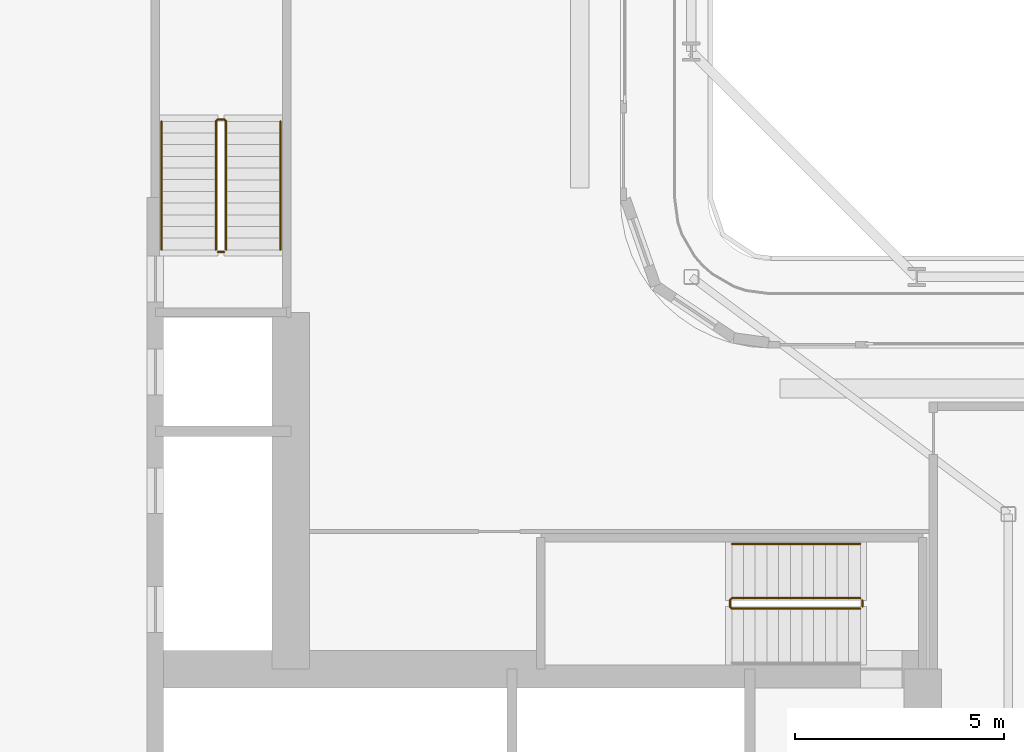
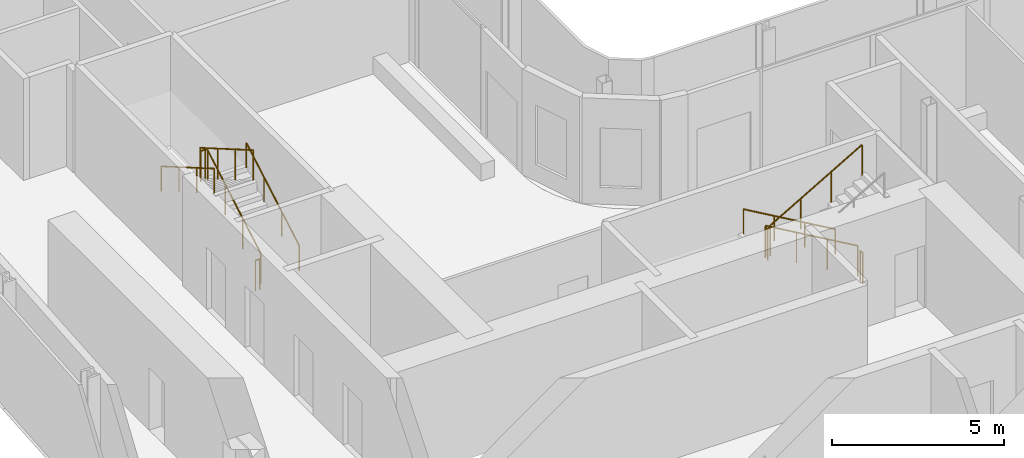
# One storey, part 23 of 28: 7 railings.
"""IFC4 building model written with IfcOpenShell, lengths in metres."""

from ifc_helpers import new_model, si_unit, direction, frame, origin, origin_2d, place, context, subcontext, project, spatial, circle, extrude, material, type_object, element, save


model = new_model("IFC4")

# Units and contexts
model_context = context("Model", 3, precision=1e-05, world=origin(), true_north=direction((0.0, 1.0)))
body_context = subcontext(model_context, "Body", "Model", "MODEL_VIEW")
ifc_project = project(units=[si_unit("LENGTHUNIT", "METRE"), si_unit("AREAUNIT", "SQUARE_METRE"), si_unit("VOLUMEUNIT", "CUBIC_METRE"), si_unit("PLANEANGLEUNIT", "RADIAN"), si_unit("MASSUNIT", "GRAM", prefix="KILO")], contexts=[model_context])

# Site, building, storey
site_placement = place(None, origin())
site = spatial("IfcSite", under=ifc_project, at=site_placement, CompositionType="ELEMENT")
building_placement = place(site_placement, origin())
building = spatial("IfcBuilding", under=site, at=building_placement, Name="Kheshtan School and Residences Tower", CompositionType="ELEMENT")
storey_placement = place(building_placement, frame((0.0, 0.0, 137.0)))
storey = spatial("IfcBuildingStorey", under=building, at=storey_placement, Name="L32", CompositionType="ELEMENT", Elevation=137.0)

# Railings
ifc_material_1 = material(Name="Stainless steel balustrade", Category="steel")
railing_type_1 = type_object("IfcRailingType", Name="Stair guard 1100", PredefinedType="GUARDRAIL", material=ifc_material_1)
railing_1_placement = place(storey_placement, frame((51.64990234375, 37.89990234375, 0.16259765625)))
element("IfcRailing", 1, at=railing_1_placement, inside=storey, type_object=railing_type_1, Name="L32 ST1 stair guard 1", PredefinedType="GUARDRAIL", context=body_context, shape_type="SweptSolid", body=[
    extrude(circle(Radius=0.02392578125, at=origin_2d()), frame((0.0, 0.0, 1.076171875), z_axis=(-0.864903211148, 0.0, 0.501938676878), x_axis=(0.0, -1.0, 0.0)), (0.0, 0.0, 1.0), 3.560791015625),
    extrude(circle(Radius=0.02392578125, at=origin_2d()), frame((-3.079833984375, 0.0, 2.86328125), z_axis=(-0.708833529934, -0.705375805398, 0.0), x_axis=(0.705375805398, -0.708833529934, 0.0)), (0.0, 0.0, 1.0), 0.070556640625),
    extrude(circle(Radius=0.02392578125, at=origin_2d()), frame((-3.1298828125, -0.0498046875, 2.86328125), z_axis=(0.0, -1.0, 0.0), x_axis=(1.0, 0.0, 0.0)), (0.0, 0.0, 1.0), 0.150146484375),
    extrude(circle(Radius=0.02392578125, at=origin_2d()), frame((-3.1298828125, -0.199951171875, 2.86328125), z_axis=(0.282227285176, -0.282227285176, 0.916894497205), x_axis=(0.707106781187, 0.707106781187, 0.0)), (0.0, 0.0, 1.0), 0.17724609375),
    extrude(circle(Radius=0.02392578125, at=origin_2d()), frame((-3.079833984375, -0.25, 3.02587890625), z_axis=(0.864903211148, 0.0, 0.501938676878), x_axis=(0.0, 1.0, 0.0)), (0.0, 0.0, 1.0), 3.560791015625),
    extrude(circle(Radius=0.02099609375, at=origin_2d()), origin(), (0.0, 0.0, 1.0), 1.052001953125),
    extrude(circle(Radius=0.02099609375, at=origin_2d()), frame((-1.026611328125, 0.0, 0.595703125)), (0.0, 0.0, 1.0), 1.052001953125),
    extrude(circle(Radius=0.02099609375, at=origin_2d()), frame((-2.05322265625, 0.0, 1.191650390625)), (0.0, 0.0, 1.0), 1.052001953125),
    extrude(circle(Radius=0.02099609375, at=origin_2d()), frame((-3.079833984375, 0.0, 1.787353515625)), (0.0, 0.0, 1.0), 1.052001953125),
    extrude(circle(Radius=0.02099609375, at=origin_2d()), frame((-3.1298828125, -0.0498046875, 1.787353515625)), (0.0, 0.0, 1.0), 1.052001953125),
    extrude(circle(Radius=0.02099609375, at=origin_2d()), frame((-3.1298828125, -0.199951171875, 1.787353515625)), (0.0, 0.0, 1.0), 1.052001953125),
    extrude(circle(Radius=0.02099609375, at=origin_2d()), frame((-3.079833984375, -0.25, 1.949951171875)), (0.0, 0.0, 1.0), 1.052001953125),
    extrude(circle(Radius=0.02099609375, at=origin_2d()), frame((-2.05322265625, -0.25, 2.545654296875)), (0.0, 0.0, 1.0), 1.052001953125),
    extrude(circle(Radius=0.02099609375, at=origin_2d()), frame((-1.026611328125, -0.25, 3.1416015625)), (0.0, 0.0, 1.0), 1.052001953125),
    extrude(circle(Radius=0.02099609375, at=origin_2d()), frame((0.0, -0.25, 3.7373046875)), (0.0, 0.0, 1.0), 1.052001953125),
])
railing_2_placement = place(storey_placement, frame((51.699951171875, 37.85009765625, 0.0)))
element("IfcRailing", 2, at=railing_2_placement, inside=storey, type_object=railing_type_1, Name="L32 ST1 stair guard 2", PredefinedType="GUARDRAIL", context=body_context, shape_type="SweptSolid", body=[
    extrude(circle(Radius=0.02392578125, at=origin_2d()), frame((0.0, 0.0, 1.076171875), z_axis=(0.0, -1.0, 0.0), x_axis=(1.0, 0.0, 0.0)), (0.0, 0.0, 1.0), 0.150146484375),
    extrude(circle(Radius=0.02099609375, at=origin_2d()), origin(), (0.0, 0.0, 1.0), 1.052001953125),
    extrude(circle(Radius=0.02099609375, at=origin_2d()), frame((0.0, -0.150146484375, 0.0)), (0.0, 0.0, 1.0), 1.052001953125),
])
railing_3_placement = place(storey_placement, frame((36.449951171875, 46.25, 0.16259765625)))
element("IfcRailing", 3, at=railing_3_placement, inside=storey, type_object=railing_type_1, Name="L32 ST2 stair guard 1", PredefinedType="GUARDRAIL", context=body_context, shape_type="SweptSolid", body=[
    extrude(circle(Radius=0.02392578125, at=origin_2d()), frame((0.0, 0.0, 1.076171875), z_axis=(0.0, 0.864920483161, 0.501908913857), x_axis=(-1.0, 0.0, 0.0)), (0.0, 0.0, 1.0), 3.56103515625),
    extrude(circle(Radius=0.02392578125, at=origin_2d()), frame((0.0, 3.080078125, 2.86328125), z_axis=(-0.708833529934, 0.705375805398, 0.0), x_axis=(-0.705375805398, -0.708833529934, 0.0)), (0.0, 0.0, 1.0), 0.070556640625),
    extrude(circle(Radius=0.02392578125, at=origin_2d()), frame((-0.050048828125, 3.1298828125, 2.86328125), z_axis=(-1.0, 0.0, 0.0), x_axis=(0.0, -1.0, 0.0)), (0.0, 0.0, 1.0), 0.14990234375),
    extrude(circle(Radius=0.02392578125, at=origin_2d()), frame((-0.199951171875, 3.1298828125, 2.86328125), z_axis=(-0.282336740067, -0.280959487676, 0.917250092119), x_axis=(0.705375805398, -0.708833529934, 0.0)), (0.0, 0.0, 1.0), 0.17724609375),
    extrude(circle(Radius=0.02392578125, at=origin_2d()), frame((-0.25, 3.080078125, 3.02587890625), z_axis=(0.0, -0.864920483161, 0.501908913857), x_axis=(1.0, 0.0, 0.0)), (0.0, 0.0, 1.0), 3.56103515625),
    extrude(circle(Radius=0.02099609375, at=origin_2d()), origin(), (0.0, 0.0, 1.0), 1.052001953125),
    extrude(circle(Radius=0.02099609375, at=origin_2d()), frame((0.0, 1.026611328125, 0.595703125)), (0.0, 0.0, 1.0), 1.052001953125),
    extrude(circle(Radius=0.02099609375, at=origin_2d()), frame((0.0, 2.053466796875, 1.191650390625)), (0.0, 0.0, 1.0), 1.052001953125),
    extrude(circle(Radius=0.02099609375, at=origin_2d()), frame((0.0, 3.080078125, 1.787353515625)), (0.0, 0.0, 1.0), 1.052001953125),
    extrude(circle(Radius=0.02099609375, at=origin_2d()), frame((-0.050048828125, 3.1298828125, 1.787353515625)), (0.0, 0.0, 1.0), 1.052001953125),
    extrude(circle(Radius=0.02099609375, at=origin_2d()), frame((-0.199951171875, 3.1298828125, 1.787353515625)), (0.0, 0.0, 1.0), 1.052001953125),
    extrude(circle(Radius=0.02099609375, at=origin_2d()), frame((-0.25, 3.080078125, 1.949951171875)), (0.0, 0.0, 1.0), 1.052001953125),
    extrude(circle(Radius=0.02099609375, at=origin_2d()), frame((-0.25, 2.053466796875, 2.545654296875)), (0.0, 0.0, 1.0), 1.052001953125),
    extrude(circle(Radius=0.02099609375, at=origin_2d()), frame((-0.25, 1.026611328125, 3.1416015625)), (0.0, 0.0, 1.0), 1.052001953125),
    extrude(circle(Radius=0.02099609375, at=origin_2d()), frame((-0.25, 0.0, 3.7373046875)), (0.0, 0.0, 1.0), 1.052001953125),
])
railing_4_placement = place(storey_placement, frame((36.39990234375, 46.199951171875, 0.0)))
element("IfcRailing", 4, at=railing_4_placement, inside=storey, type_object=railing_type_1, Name="L32 ST2 stair guard 2", PredefinedType="GUARDRAIL", context=body_context, shape_type="SweptSolid", body=[
    extrude(circle(Radius=0.02392578125, at=origin_2d()), frame((0.0, 0.0, 1.076171875), z_axis=(-1.0, 0.0, 0.0), x_axis=(0.0, -1.0, 0.0)), (0.0, 0.0, 1.0), 0.14990234375),
    extrude(circle(Radius=0.02099609375, at=origin_2d()), origin(), (0.0, 0.0, 1.0), 1.052001953125),
    extrude(circle(Radius=0.02099609375, at=origin_2d()), frame((-0.14990234375, 0.0, 0.0)), (0.0, 0.0, 1.0), 1.052001953125),
])
ifc_material_2 = material(Name="Stainless steel handrail", Category="steel")
railing_type_2 = type_object("IfcRailingType", Name="Stair handrail 900", PredefinedType="HANDRAIL", material=ifc_material_2)
railing_5_placement = place(storey_placement, frame((51.64990234375, 39.199951171875, 0.16259765625)))
element("IfcRailing", 5, at=railing_5_placement, inside=storey, type_object=railing_type_2, Name="L32 ST1 stair handrail 1", PredefinedType="HANDRAIL", context=body_context, shape_type="SweptSolid", body=[
    extrude(circle(Radius=0.02392578125, at=origin_2d()), frame((0.0, 0.0, 0.8759765625), z_axis=(-0.864903211148, 0.0, 0.501938676878), x_axis=(0.0, -1.0, 0.0)), (0.0, 0.0, 1.0), 3.560791015625),
    extrude(circle(Radius=0.02099609375, at=origin_2d()), origin(), (0.0, 0.0, 1.0), 0.851806640625),
    extrude(circle(Radius=0.02099609375, at=origin_2d()), frame((-1.026611328125, 0.0, 0.595703125)), (0.0, 0.0, 1.0), 0.851806640625),
    extrude(circle(Radius=0.02099609375, at=origin_2d()), frame((-2.05322265625, 0.0, 1.191650390625)), (0.0, 0.0, 1.0), 0.851806640625),
    extrude(circle(Radius=0.02099609375, at=origin_2d()), frame((-3.079833984375, 0.0, 1.787353515625)), (0.0, 0.0, 1.0), 0.851806640625),
])
railing_6_placement = place(storey_placement, frame((37.75, 46.25, 0.16259765625)))
element("IfcRailing", 6, at=railing_6_placement, inside=storey, type_object=railing_type_2, Name="L32 ST2 stair handrail 1", PredefinedType="HANDRAIL", context=body_context, shape_type="SweptSolid", body=[
    extrude(circle(Radius=0.02392578125, at=origin_2d()), frame((0.0, 0.0, 0.8759765625), z_axis=(0.0, 0.864920483161, 0.501908913857), x_axis=(-1.0, 0.0, 0.0)), (0.0, 0.0, 1.0), 3.56103515625),
    extrude(circle(Radius=0.02099609375, at=origin_2d()), origin(), (0.0, 0.0, 1.0), 0.851806640625),
    extrude(circle(Radius=0.02099609375, at=origin_2d()), frame((0.0, 1.026611328125, 0.595703125)), (0.0, 0.0, 1.0), 0.851806640625),
    extrude(circle(Radius=0.02099609375, at=origin_2d()), frame((0.0, 2.053466796875, 1.191650390625)), (0.0, 0.0, 1.0), 0.851806640625),
    extrude(circle(Radius=0.02099609375, at=origin_2d()), frame((0.0, 3.080078125, 1.787353515625)), (0.0, 0.0, 1.0), 0.851806640625),
])
railing_7_placement = place(storey_placement, frame((34.89990234375, 49.330078125, 2.112548828125)))
element("IfcRailing", 7, at=railing_7_placement, inside=storey, type_object=railing_type_2, Name="L32 ST2 stair handrail 2", PredefinedType="HANDRAIL", context=body_context, shape_type="SweptSolid", body=[
    extrude(circle(Radius=0.02392578125, at=origin_2d()), frame((0.0, 0.0, 0.8759765625), z_axis=(0.0, -0.864920483161, 0.501908913857), x_axis=(1.0, 0.0, 0.0)), (0.0, 0.0, 1.0), 3.56103515625),
    extrude(circle(Radius=0.02099609375, at=origin_2d()), origin(), (0.0, 0.0, 1.0), 0.851806640625),
    extrude(circle(Radius=0.02099609375, at=origin_2d()), frame((0.0, -1.026611328125, 0.595703125)), (0.0, 0.0, 1.0), 0.851806640625),
    extrude(circle(Radius=0.02099609375, at=origin_2d()), frame((0.0, -2.053466796875, 1.191650390625)), (0.0, 0.0, 1.0), 0.851806640625),
    extrude(circle(Radius=0.02099609375, at=origin_2d()), frame((0.0, -3.080078125, 1.787353515625)), (0.0, 0.0, 1.0), 0.851806640625),
])

save(model, "model.ifc")
